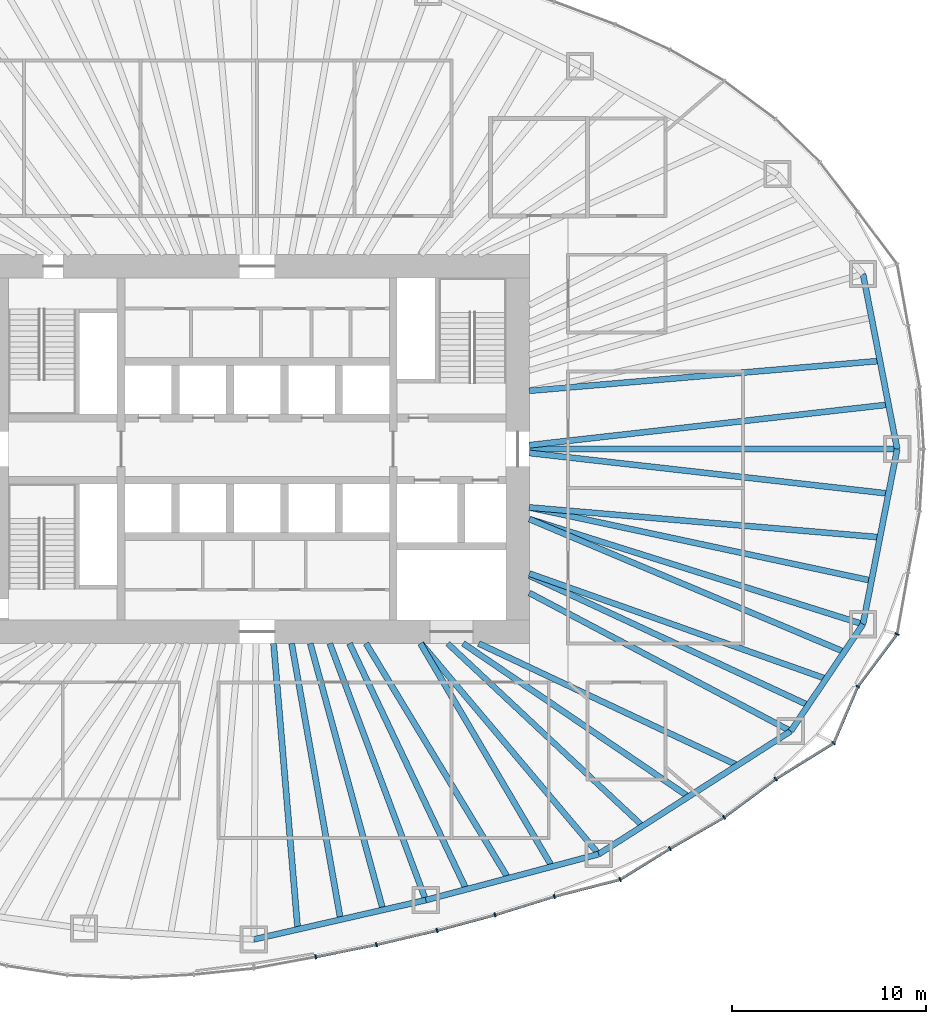
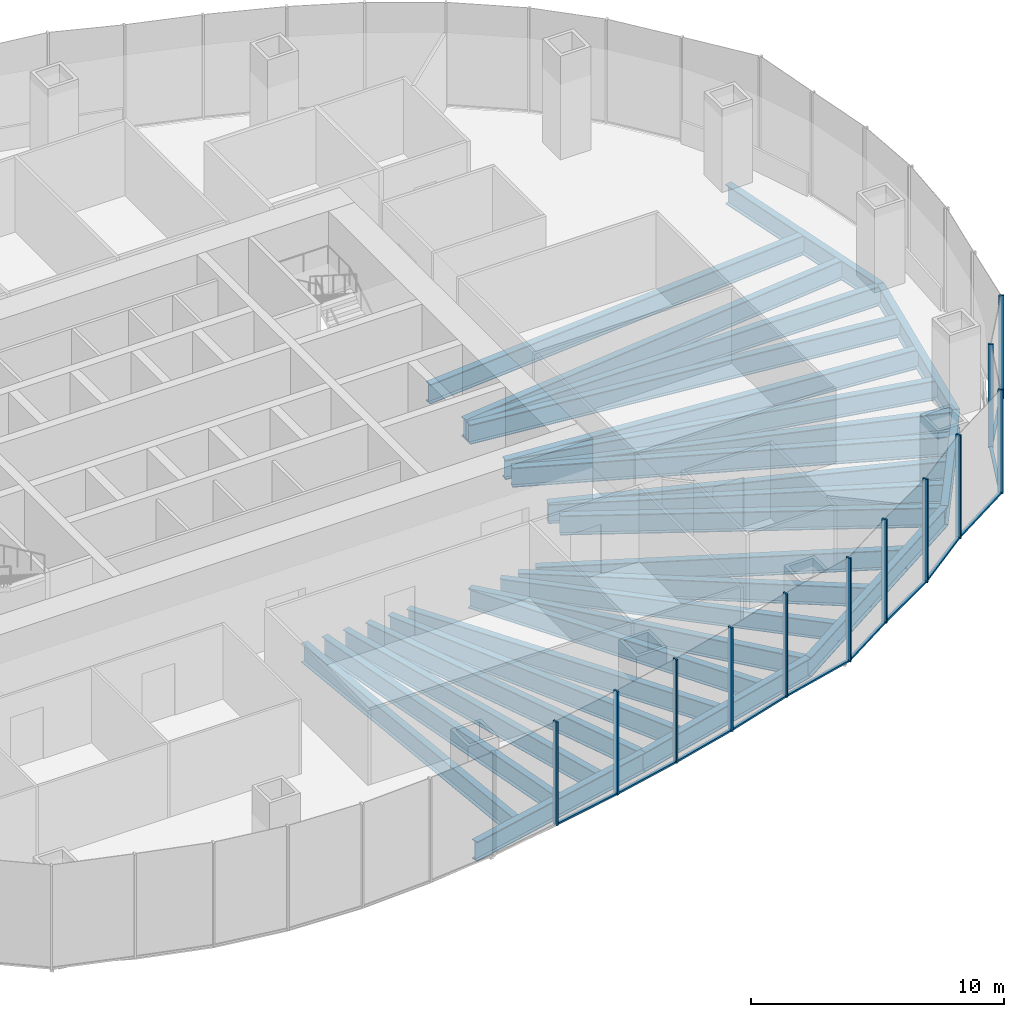
# One storey, part 4 of 18: 28 beams, 23 members, 5 elements without a shape of their own.
"""IFC4 building model written with IfcOpenShell, lengths in metres."""

from ifc_helpers import new_model, si_unit, direction, frame, origin, origin_2d, place, context, subcontext, project, spatial, rectangle, i_section, extrude, material, material_profile, profile_set, type_object, element, aggregate, save


model = new_model("IFC4")

# Units and contexts
model_context = context("Model", 3, precision=1e-05, world=origin(), true_north=direction((0.0, 1.0)))
body_context = subcontext(model_context, "Body", "Model", "MODEL_VIEW")
ifc_project = project(units=[si_unit("LENGTHUNIT", "METRE"), si_unit("AREAUNIT", "SQUARE_METRE"), si_unit("VOLUMEUNIT", "CUBIC_METRE"), si_unit("PLANEANGLEUNIT", "RADIAN"), si_unit("MASSUNIT", "GRAM", prefix="KILO")], contexts=[model_context])

# Site, building, storey
site_placement = place(None, origin())
site = spatial("IfcSite", under=ifc_project, at=site_placement, CompositionType="ELEMENT")
building_placement = place(site_placement, origin())
building = spatial("IfcBuilding", under=site, at=building_placement, Name="Ghaith Harvest Tower", CompositionType="ELEMENT")
storey_placement = place(building_placement, frame((0.0, 0.0, 95.0)))
storey = spatial("IfcBuildingStorey", under=building, at=storey_placement, Name="L19", CompositionType="ELEMENT", Elevation=95.0)

# Curtain wall, members
ifc_material_1 = material(Name="Black anodised aluminium and fritted glass", Category="aluminium")
curtain_wall_type = type_object("IfcCurtainWallType", Name="CW-F CURTAIN WALL", PredefinedType="NOTDEFINED", material=ifc_material_1)
curtain_wall_1_placement = place(storey_placement, origin())
curtain_wall_1 = element("IfcCurtainWall", 1, at=curtain_wall_1_placement, inside=storey, type_object=curtain_wall_type, Name="Curtain wall CW-F bay 16 L19", PredefinedType="NOTDEFINED")
ifc_material_2 = material(Name="Aluminium, black anodised", Category="aluminium")
ifc_material_profile_1 = material_profile(ifc_material_2, rectangle(XDim=0.080078125, YDim=0.219970703125, at=origin_2d()), Name="CW-F MULLION 80x220")
ifc_profile_set_1 = profile_set([ifc_material_profile_1], Name="Aluminium, black anodised")
member_type_1 = type_object("IfcMemberType", Name="CW-F MULLION 80x220", PredefinedType="MULLION", material=ifc_profile_set_1)
member_1_placement = place(storey_placement, frame((3.00927734375, -26.123291015625, 0.0), z_axis=(0.0, 0.0, 1.0), x_axis=(0.981818445714, 0.189822389762, 0.0)))
member_1 = element("IfcMember", 2, at=member_1_placement, type_object=member_type_1, Name="CW-F mullion 2 bay 16 L19", PredefinedType="MULLION", context=body_context, shape_type="SweptSolid", body=[
    extrude(rectangle(XDim=0.080078125, YDim=0.219970703125, at=origin_2d()), origin(), (0.0, 0.0, 1.0), 5.0),
])
member_2_placement = place(storey_placement, frame((6.136962890625, -25.495361328125, 0.0), z_axis=(0.0, 0.0, 1.0), x_axis=(0.977117973572, 0.212698062336, 0.0)))
member_2 = element("IfcMember", 3, at=member_2_placement, type_object=member_type_1, Name="CW-F mullion 3 bay 16 L19", PredefinedType="MULLION", context=body_context, shape_type="SweptSolid", body=[
    extrude(rectangle(XDim=0.080078125, YDim=0.219970703125, at=origin_2d()), origin(), (0.0, 0.0, 1.0), 5.0),
])

curtain_wall_2_placement = place(storey_placement, origin())
curtain_wall_2 = element("IfcCurtainWall", 4, at=curtain_wall_2_placement, inside=storey, type_object=curtain_wall_type, Name="Curtain wall CW-F bay 17 L19", PredefinedType="NOTDEFINED")
member_3_placement = place(storey_placement, frame((9.25732421875, -24.76318359375, 0.0), z_axis=(0.0, 0.0, 1.0), x_axis=(0.969903429248, 0.24348991341, 0.0)))
member_3 = element("IfcMember", 5, at=member_3_placement, type_object=member_type_1, Name="CW-F mullion 1 bay 17 L19", PredefinedType="MULLION", context=body_context, shape_type="SweptSolid", body=[
    extrude(rectangle(XDim=0.080078125, YDim=0.219970703125, at=origin_2d()), origin(), (0.0, 0.0, 1.0), 5.0),
])
member_4_placement = place(storey_placement, frame((12.234375, -23.964599609375, 0.0), z_axis=(0.0, 0.0, 1.0), x_axis=(0.960502189734, 0.278272426799, 0.0)))
member_4 = element("IfcMember", 6, at=member_4_placement, type_object=member_type_1, Name="CW-F mullion 2 bay 17 L19", PredefinedType="MULLION", context=body_context, shape_type="SweptSolid", body=[
    extrude(rectangle(XDim=0.080078125, YDim=0.219970703125, at=origin_2d()), origin(), (0.0, 0.0, 1.0), 5.0),
])
member_5_placement = place(storey_placement, frame((15.28759765625, -23.01611328125, 0.0), z_axis=(0.0, 0.0, 1.0), x_axis=(0.962313144018, 0.27194376781, 0.0)))
member_5 = element("IfcMember", 7, at=member_5_placement, type_object=member_type_1, Name="CW-F mullion 3 bay 17 L19", PredefinedType="MULLION", context=body_context, shape_type="SweptSolid", body=[
    extrude(rectangle(XDim=0.080078125, YDim=0.219970703125, at=origin_2d()), origin(), (0.0, 0.0, 1.0), 5.0),
])

curtain_wall_3_placement = place(storey_placement, origin())
curtain_wall_3 = element("IfcCurtainWall", 8, at=curtain_wall_3_placement, inside=storey, type_object=curtain_wall_type, Name="Curtain wall CW-F bay 18 L19", PredefinedType="NOTDEFINED")
member_6_placement = place(storey_placement, frame((18.674072265625, -22.144775390625, 0.0), z_axis=(0.0, 0.0, 1.0), x_axis=(0.923910199299, 0.382609387799, 0.0)))
member_6 = element("IfcMember", 9, at=member_6_placement, type_object=member_type_1, Name="CW-F mullion 1 bay 18 L19", PredefinedType="MULLION", context=body_context, shape_type="SweptSolid", body=[
    extrude(rectangle(XDim=0.080078125, YDim=0.219970703125, at=origin_2d()), origin(), (0.0, 0.0, 1.0), 5.0),
])
member_7_placement = place(storey_placement, frame((21.2353515625, -20.552978515625, 0.0), z_axis=(0.0, 0.0, 1.0), x_axis=(0.858140414942, 0.513415064293, 0.0)))
member_7 = element("IfcMember", 10, at=member_7_placement, type_object=member_type_1, Name="CW-F mullion 2 bay 18 L19", PredefinedType="MULLION", context=body_context, shape_type="SweptSolid", body=[
    extrude(rectangle(XDim=0.080078125, YDim=0.219970703125, at=origin_2d()), origin(), (0.0, 0.0, 1.0), 5.0),
])
member_8_placement = place(storey_placement, frame((24.018310546875, -18.947265625, 0.0), z_axis=(0.0, 0.0, 1.0), x_axis=(0.835443516838, 0.549576318788, 0.0)))
member_8 = element("IfcMember", 11, at=member_8_placement, type_object=member_type_1, Name="CW-F mullion 3 bay 18 L19", PredefinedType="MULLION", context=body_context, shape_type="SweptSolid", body=[
    extrude(rectangle(XDim=0.080078125, YDim=0.219970703125, at=origin_2d()), origin(), (0.0, 0.0, 1.0), 5.0),
])

curtain_wall_4_placement = place(storey_placement, origin())
curtain_wall_4 = element("IfcCurtainWall", 12, at=curtain_wall_4_placement, inside=storey, type_object=curtain_wall_type, Name="Curtain wall CW-F bay 19 L19", PredefinedType="NOTDEFINED")
member_9_placement = place(storey_placement, frame((26.673828125, -16.9755859375, 0.0), z_axis=(0.0, 0.0, 1.0), x_axis=(0.828002038115, 0.560725088504, 0.0)))
member_9 = element("IfcMember", 13, at=member_9_placement, type_object=member_type_1, Name="CW-F mullion 1 bay 19 L19", PredefinedType="MULLION", context=body_context, shape_type="SweptSolid", body=[
    extrude(rectangle(XDim=0.080078125, YDim=0.219970703125, at=origin_2d()), origin(), (0.0, 0.0, 1.0), 5.0),
])
member_10_placement = place(storey_placement, frame((29.659912109375, -15.126953125, 0.0), z_axis=(0.0, 0.0, 1.0), x_axis=(0.663604797505, 0.748083332743, 0.0)))
member_10 = element("IfcMember", 14, at=member_10_placement, type_object=member_type_1, Name="CW-F mullion 2 bay 19 L19", PredefinedType="MULLION", context=body_context, shape_type="SweptSolid", body=[
    extrude(rectangle(XDim=0.080078125, YDim=0.219970703125, at=origin_2d()), origin(), (0.0, 0.0, 1.0), 5.0),
])
member_11_placement = place(storey_placement, frame((30.896728515625, -12.215087890625, 0.0), z_axis=(0.0, 0.0, 1.0), x_axis=(0.5027946428, 0.864405892606, 0.0)))
member_11 = element("IfcMember", 15, at=member_11_placement, type_object=member_type_1, Name="CW-F mullion 3 bay 19 L19", PredefinedType="MULLION", context=body_context, shape_type="SweptSolid", body=[
    extrude(rectangle(XDim=0.080078125, YDim=0.219970703125, at=origin_2d()), origin(), (0.0, 0.0, 1.0), 5.0),
])

# Curtain wall, member
curtain_wall_5_placement = place(storey_placement, origin())
curtain_wall_5 = element("IfcCurtainWall", 16, at=curtain_wall_5_placement, inside=storey, type_object=curtain_wall_type, Name="Curtain wall CW-F bay 20 L19", PredefinedType="NOTDEFINED")
member_12_placement = place(storey_placement, frame((32.923583984375, -9.515625, 0.0), z_axis=(0.0, 0.0, 1.0), x_axis=(0.404701694001, 0.914448762301, 0.0)))
member_12 = element("IfcMember", 17, at=member_12_placement, type_object=member_type_1, Name="CW-F mullion 1 bay 20 L19", PredefinedType="MULLION", context=body_context, shape_type="SweptSolid", body=[
    extrude(rectangle(XDim=0.080078125, YDim=0.219970703125, at=origin_2d()), origin(), (0.0, 0.0, 1.0), 5.0),
])
aggregate(curtain_wall_5, [member_12])

# Member
ifc_material_3 = material(Name="Aluminium, black anodised", Category="aluminium")
ifc_material_profile_2 = material_profile(ifc_material_3, rectangle(XDim=0.139892578125, YDim=0.080078125, at=origin_2d()), Name="CW-F TRANSOM 140x80")
ifc_profile_set_2 = profile_set([ifc_material_profile_2], Name="Aluminium, black anodised")
member_type_2 = type_object("IfcMemberType", Name="CW-F TRANSOM 140x80", PredefinedType="USERDEFINED", material=ifc_profile_set_2)
member_13_placement = place(storey_placement, frame((3.04833984375, -26.115478515625, 0.0400390625), z_axis=(0.980432471193, 0.196855707129, 0.0), x_axis=(-0.196855707129, 0.980432471193, 0.0)))
member_13 = element("IfcMember", 18, at=member_13_placement, type_object=member_type_2, Name="CW-F transom 2 bay 16 L19", ObjectType="TRANSOM", PredefinedType="USERDEFINED", context=body_context, shape_type="SweptSolid", body=[
    extrude(rectangle(XDim=0.139892578125, YDim=0.080078125, at=origin_2d()), origin(), (0.0, 0.0, 1.0), 3.1103515625),
])

member_14_placement = place(storey_placement, frame((6.176025390625, -25.486083984375, 0.0400390625), z_axis=(0.973560415159, 0.228429678537, 0.0), x_axis=(-0.228429678537, 0.973560415159, 0.0)))
member_14 = element("IfcMember", 19, at=member_14_placement, type_object=member_type_2, Name="CW-F transom 3 bay 16 L19", ObjectType="TRANSOM", PredefinedType="USERDEFINED", context=body_context, shape_type="SweptSolid", body=[
    extrude(rectangle(XDim=0.139892578125, YDim=0.080078125, at=origin_2d()), origin(), (0.0, 0.0, 1.0), 3.125),
])

aggregate(curtain_wall_1, [member_1, member_13, member_2, member_14])

member_15_placement = place(storey_placement, frame((9.2958984375, -24.7529296875, 0.0400390625), z_axis=(0.965832908495, 0.259165570377, 0.0), x_axis=(-0.259165570377, 0.965832908495, 0.0)))
member_15 = element("IfcMember", 20, at=member_15_placement, type_object=member_type_2, Name="CW-F transom 1 bay 17 L19", ObjectType="TRANSOM", PredefinedType="USERDEFINED", context=body_context, shape_type="SweptSolid", body=[
    extrude(rectangle(XDim=0.139892578125, YDim=0.080078125, at=origin_2d()), origin(), (0.0, 0.0, 1.0), 3.002197265625),
])

member_16_placement = place(storey_placement, frame((12.2724609375, -23.95263671875, 0.0400390625), z_axis=(0.954998362353, 0.296611071781, 0.0), x_axis=(-0.296611071781, 0.954998362353, 0.0)))
member_16 = element("IfcMember", 21, at=member_16_placement, type_object=member_type_2, Name="CW-F transom 2 bay 17 L19", ObjectType="TRANSOM", PredefinedType="USERDEFINED", context=body_context, shape_type="SweptSolid", body=[
    extrude(rectangle(XDim=0.139892578125, YDim=0.080078125, at=origin_2d()), origin(), (0.0, 0.0, 1.0), 3.1171875),
])

member_17_placement = place(storey_placement, frame((15.326171875, -23.006103515625, 0.0400390625), z_axis=(0.968463874592, 0.249154015841, 0.0), x_axis=(-0.249154015841, 0.968463874592, 0.0)))
member_17 = element("IfcMember", 22, at=member_17_placement, type_object=member_type_2, Name="CW-F transom 3 bay 17 L19", ObjectType="TRANSOM", PredefinedType="USERDEFINED", context=body_context, shape_type="SweptSolid", body=[
    extrude(rectangle(XDim=0.139892578125, YDim=0.080078125, at=origin_2d()), origin(), (0.0, 0.0, 1.0), 3.416748046875),
])

aggregate(curtain_wall_2, [member_3, member_15, member_4, member_16, member_5, member_17])

member_18_placement = place(storey_placement, frame((18.7080078125, -22.12353515625, 0.0400390625), z_axis=(0.849383069026, 0.527776848726, 0.0), x_axis=(-0.527776848726, 0.849383069026, 0.0)))
member_18 = element("IfcMember", 23, at=member_18_placement, type_object=member_type_2, Name="CW-F transom 1 bay 18 L19", ObjectType="TRANSOM", PredefinedType="USERDEFINED", context=body_context, shape_type="SweptSolid", body=[
    extrude(rectangle(XDim=0.139892578125, YDim=0.080078125, at=origin_2d()), origin(), (0.0, 0.0, 1.0), 2.935546875),
])

member_19_placement = place(storey_placement, frame((21.27001953125, -20.532958984375, 0.0400390625), z_axis=(0.866168719914, 0.499751686983, 0.0), x_axis=(-0.499751686983, 0.866168719914, 0.0)))
member_19 = element("IfcMember", 24, at=member_19_placement, type_object=member_type_2, Name="CW-F transom 2 bay 18 L19", ObjectType="TRANSOM", PredefinedType="USERDEFINED", context=body_context, shape_type="SweptSolid", body=[
    extrude(rectangle(XDim=0.139892578125, YDim=0.080078125, at=origin_2d()), origin(), (0.0, 0.0, 1.0), 3.1328125),
])

member_20_placement = place(storey_placement, frame((24.050537109375, -18.92333984375, 0.0400390625), z_axis=(0.802877287823, 0.596144328748, 0.0), x_axis=(-0.596144328748, 0.802877287823, 0.0)))
member_20 = element("IfcMember", 25, at=member_20_placement, type_object=member_type_2, Name="CW-F transom 3 bay 18 L19", ObjectType="TRANSOM", PredefinedType="USERDEFINED", context=body_context, shape_type="SweptSolid", body=[
    extrude(rectangle(XDim=0.139892578125, YDim=0.080078125, at=origin_2d()), origin(), (0.0, 0.0, 1.0), 3.2275390625),
])

aggregate(curtain_wall_3, [member_6, member_18, member_7, member_19, member_8, member_20])

member_21_placement = place(storey_placement, frame((26.707763671875, -16.954345703125, 0.0400390625), z_axis=(0.850260598386, 0.526361961802, 0.0), x_axis=(-0.526361961802, 0.850260598386, 0.0)))
member_21 = element("IfcMember", 26, at=member_21_placement, type_object=member_type_2, Name="CW-F transom 1 bay 19 L19", ObjectType="TRANSOM", PredefinedType="USERDEFINED", context=body_context, shape_type="SweptSolid", body=[
    extrude(rectangle(XDim=0.139892578125, YDim=0.080078125, at=origin_2d()), origin(), (0.0, 0.0, 1.0), 3.431884765625),
])

member_22_placement = place(storey_placement, frame((29.675537109375, -15.090087890625, 0.0400390625), z_axis=(0.390936107494, 0.92041781809, 0.0), x_axis=(-0.92041781809, 0.390936107494, 0.0)))
member_22 = element("IfcMember", 27, at=member_22_placement, type_object=member_type_2, Name="CW-F transom 2 bay 19 L19", ObjectType="TRANSOM", PredefinedType="USERDEFINED", context=body_context, shape_type="SweptSolid", body=[
    extrude(rectangle(XDim=0.139892578125, YDim=0.080078125, at=origin_2d()), origin(), (0.0, 0.0, 1.0), 3.083740234375),
])

member_23_placement = place(storey_placement, frame((30.920654296875, -12.18310546875, 0.0400390625), z_axis=(0.600462135687, 0.799653189581, 0.0), x_axis=(-0.799653189581, 0.600462135687, 0.0)))
member_23 = element("IfcMember", 28, at=member_23_placement, type_object=member_type_2, Name="CW-F transom 3 bay 19 L19", ObjectType="TRANSOM", PredefinedType="USERDEFINED", context=body_context, shape_type="SweptSolid", body=[
    extrude(rectangle(XDim=0.139892578125, YDim=0.080078125, at=origin_2d()), origin(), (0.0, 0.0, 1.0), 3.2958984375),
])

aggregate(curtain_wall_4, [member_9, member_21, member_10, member_22, member_11, member_23])

# Beams
ifc_material_4 = material(Name="Steel ASTM A992 Grade 50", Category="steel")
ifc_material_profile_3 = material_profile(ifc_material_4, i_section(OverallWidth=0.306884765625, OverallDepth=0.94189453125, WebThickness=0.022216796875, FlangeThickness=0.039794921875, at=origin_2d()), Name="W920X345")
ifc_profile_set_3 = profile_set([ifc_material_profile_3], Name="Steel ASTM A992 Grade 50")
beam_type_1 = type_object("IfcBeamType", Name="E920-345 W920X345", PredefinedType="SPANDREL", material=ifc_profile_set_3)
beam_1_placement = place(storey_placement, frame((32.925048828125, 0.0, -0.6708984375), z_axis=(-0.191653479461, 0.981462655332, 0.0), x_axis=(-0.981462655332, -0.191653479461, 0.0)))
element("IfcBeam", 29, at=beam_1_placement, inside=storey, type_object=beam_type_1, Name="Edge beam E01 L19", PredefinedType="SPANDREL", context=body_context, shape_type="SweptSolid", body=[
    extrude(i_section(OverallWidth=0.306884765625, OverallDepth=0.94189453125, WebThickness=0.022216796875, FlangeThickness=0.039794921875, at=origin_2d()), origin(), (0.0, 0.0, 1.0), 9.17822265625),
])
beam_2_placement = place(storey_placement, frame((-0.173095703125, -25.22412109375, -0.6708984375), z_axis=(0.974881709383, 0.22272326486, 0.0), x_axis=(-0.22272326486, 0.974881709383, 0.0)))
element("IfcBeam", 30, at=beam_2_placement, inside=storey, type_object=beam_type_1, Name="Edge beam E16 L19", PredefinedType="SPANDREL", context=body_context, shape_type="SweptSolid", body=[
    extrude(i_section(OverallWidth=0.306884765625, OverallDepth=0.94189453125, WebThickness=0.022216796875, FlangeThickness=0.039794921875, at=origin_2d()), origin(), (0.0, 0.0, 1.0), 9.0751953125),
])
beam_3_placement = place(storey_placement, frame((8.674072265625, -23.202880859375, -0.6708984375), z_axis=(0.966419097109, 0.256971065963, 0.0), x_axis=(-0.256971065963, 0.966419097109, 0.0)))
element("IfcBeam", 31, at=beam_3_placement, inside=storey, type_object=beam_type_1, Name="Edge beam E17 L19", PredefinedType="SPANDREL", context=body_context, shape_type="SweptSolid", body=[
    extrude(i_section(OverallWidth=0.306884765625, OverallDepth=0.94189453125, WebThickness=0.022216796875, FlangeThickness=0.039794921875, at=origin_2d()), origin(), (0.0, 0.0, 1.0), 9.20703125),
])
beam_4_placement = place(storey_placement, frame((17.572021484375, -20.8369140625, -0.6708984375), z_axis=(0.842014649705, 0.539454659524, 0.0), x_axis=(-0.539454659524, 0.842014649705, 0.0)))
element("IfcBeam", 32, at=beam_4_placement, inside=storey, type_object=beam_type_1, Name="Edge beam E18 L19", PredefinedType="SPANDREL", context=body_context, shape_type="SweptSolid", body=[
    extrude(i_section(OverallWidth=0.306884765625, OverallDepth=0.94189453125, WebThickness=0.022216796875, FlangeThickness=0.039794921875, at=origin_2d()), origin(), (0.0, 0.0, 1.0), 11.730224609375),
])
beam_5_placement = place(storey_placement, frame((27.448974609375, -14.509033203125, -0.6708984375), z_axis=(0.559874470017, 0.828577442261, 0.0), x_axis=(-0.828577442261, 0.559874470017, 0.0)))
element("IfcBeam", 33, at=beam_5_placement, inside=storey, type_object=beam_type_1, Name="Edge beam E19 L19", PredefinedType="SPANDREL", context=body_context, shape_type="SweptSolid", body=[
    extrude(i_section(OverallWidth=0.306884765625, OverallDepth=0.94189453125, WebThickness=0.022216796875, FlangeThickness=0.039794921875, at=origin_2d()), origin(), (0.0, 0.0, 1.0), 6.63916015625),
])
beam_6_placement = place(storey_placement, frame((31.166015625, -9.008056640625, -0.6708984375), z_axis=(0.191653479461, 0.981462655332, 0.0), x_axis=(-0.981462655332, 0.191653479461, 0.0)))
element("IfcBeam", 34, at=beam_6_placement, inside=storey, type_object=beam_type_1, Name="Edge beam E20 L19", PredefinedType="SPANDREL", context=body_context, shape_type="SweptSolid", body=[
    extrude(i_section(OverallWidth=0.306884765625, OverallDepth=0.94189453125, WebThickness=0.022216796875, FlangeThickness=0.039794921875, at=origin_2d()), origin(), (0.0, 0.0, 1.0), 9.17822265625),
])
ifc_material_5 = material(Name="Steel ASTM A992 Grade 50", Category="steel")
ifc_material_profile_4 = material_profile(ifc_material_5, i_section(OverallWidth=0.306884765625, OverallDepth=0.94189453125, WebThickness=0.022216796875, FlangeThickness=0.039794921875, at=origin_2d()), Name="W920X345")
ifc_profile_set_4 = profile_set([ifc_material_profile_4], Name="Steel ASTM A992 Grade 50")
beam_type_2 = type_object("IfcBeamType", Name="G920-345 W920X345", PredefinedType="BEAM", material=ifc_profile_set_4)
beam_7_placement = place(storey_placement, frame((14.0, 0.0, -0.6708984375), z_axis=(1.0, 0.0, 0.0), x_axis=(0.0, 1.0, 0.0)))
element("IfcBeam", 35, at=beam_7_placement, inside=storey, type_object=beam_type_2, Name="Radial girder G01 L19", PredefinedType="BEAM", context=body_context, shape_type="SweptSolid", body=[
    extrude(i_section(OverallWidth=0.306884765625, OverallDepth=0.94189453125, WebThickness=0.022216796875, FlangeThickness=0.039794921875, at=origin_2d()), origin(), (0.0, 0.0, 1.0), 18.925048828125),
])
beam_8_placement = place(storey_placement, frame((3.73828125, -10.0, -0.6708984375), z_axis=(0.350172283717, -0.936685310932, 0.0), x_axis=(0.936685310932, 0.350172283717, 0.0)))
element("IfcBeam", 36, at=beam_8_placement, inside=storey, type_object=beam_type_2, Name="Radial girder G17 L19", PredefinedType="BEAM", context=body_context, shape_type="SweptSolid", body=[
    extrude(i_section(OverallWidth=0.306884765625, OverallDepth=0.94189453125, WebThickness=0.022216796875, FlangeThickness=0.039794921875, at=origin_2d()), origin(), (0.0, 0.0, 1.0), 14.09521484375),
])
beam_9_placement = place(storey_placement, frame((8.4326171875, -10.0, -0.6708984375), z_axis=(0.644696130938, -0.764438943771, 0.0), x_axis=(0.764438943771, 0.644696130938, 0.0)))
element("IfcBeam", 37, at=beam_9_placement, inside=storey, type_object=beam_type_2, Name="Radial girder G18 L19", PredefinedType="BEAM", context=body_context, shape_type="SweptSolid", body=[
    extrude(i_section(OverallWidth=0.306884765625, OverallDepth=0.94189453125, WebThickness=0.022216796875, FlangeThickness=0.039794921875, at=origin_2d()), origin(), (0.0, 0.0, 1.0), 14.17626953125),
])
beam_10_placement = place(storey_placement, frame((14.0, -7.39990234375, -0.6708984375), z_axis=(0.884084425997, -0.467327216959, 0.0), x_axis=(0.467327216959, 0.884084425997, 0.0)))
element("IfcBeam", 38, at=beam_10_placement, inside=storey, type_object=beam_type_2, Name="Radial girder G19 L19", PredefinedType="BEAM", context=body_context, shape_type="SweptSolid", body=[
    extrude(i_section(OverallWidth=0.306884765625, OverallDepth=0.94189453125, WebThickness=0.022216796875, FlangeThickness=0.039794921875, at=origin_2d()), origin(), (0.0, 0.0, 1.0), 15.21240234375),
])
beam_11_placement = place(storey_placement, frame((14.0, -3.60009765625, -0.6708984375), z_axis=(0.953788071692, -0.300480139607, 0.0), x_axis=(0.300480139607, 0.953788071692, 0.0)))
element("IfcBeam", 39, at=beam_11_placement, inside=storey, type_object=beam_type_2, Name="Radial girder G20 L19", PredefinedType="BEAM", context=body_context, shape_type="SweptSolid", body=[
    extrude(i_section(OverallWidth=0.306884765625, OverallDepth=0.94189453125, WebThickness=0.022216796875, FlangeThickness=0.039794921875, at=origin_2d()), origin(), (0.0, 0.0, 1.0), 17.997802734375),
])
ifc_material_6 = material(Name="Steel ASTM A992 Grade 50", Category="steel")
ifc_material_profile_5 = material_profile(ifc_material_6, i_section(OverallWidth=0.2939453125, OverallDepth=0.85107421875, WebThickness=0.01611328125, FlangeThickness=0.02685546875, at=origin_2d()), Name="W840X226")
ifc_profile_set_5 = profile_set([ifc_material_profile_5], Name="Steel ASTM A992 Grade 50")
beam_type_3 = type_object("IfcBeamType", Name="J840-226 W840X226", PredefinedType="JOIST", material=ifc_profile_set_5)
beam_12_placement = place(storey_placement, frame((9.800048828125, -10.0, -0.62548828125), z_axis=(0.72994990542, -0.683500647825, 0.0), x_axis=(0.683500647825, 0.72994990542, 0.0)))
element("IfcBeam", 40, at=beam_12_placement, inside=storey, type_object=beam_type_3, Name="Joist J18.1 L19", PredefinedType="JOIST", context=body_context, shape_type="SweptSolid", body=[
    extrude(i_section(OverallWidth=0.2939453125, OverallDepth=0.85107421875, WebThickness=0.01611328125, FlangeThickness=0.02685546875, at=origin_2d()), origin(), (0.0, 0.0, 1.0), 13.7392578125),
])
ifc_material_7 = material(Name="Steel ASTM A992 Grade 50", Category="steel")
ifc_material_profile_6 = material_profile(ifc_material_7, i_section(OverallWidth=0.31005859375, OverallDepth=0.927001953125, WebThickness=0.019287109375, FlangeThickness=0.031982421875, at=origin_2d()), Name="W920X289")
ifc_profile_set_6 = profile_set([ifc_material_profile_6], Name="Steel ASTM A992 Grade 50")
beam_type_4 = type_object("IfcBeamType", Name="J920-289 W920X289", PredefinedType="JOIST", material=ifc_profile_set_6)
beam_13_placement = place(storey_placement, frame((0.844970703125, -10.0, -0.66357421875), z_axis=(0.084208979751, -0.996448115924, 0.0), x_axis=(0.996448115924, 0.084208979751, 0.0)))
element("IfcBeam", 41, at=beam_13_placement, inside=storey, type_object=beam_type_4, Name="Joist J16.1 L19", PredefinedType="JOIST", context=body_context, shape_type="SweptSolid", body=[
    extrude(i_section(OverallWidth=0.31005859375, OverallDepth=0.927001953125, WebThickness=0.019287109375, FlangeThickness=0.031982421875, at=origin_2d()), origin(), (0.0, 0.0, 1.0), 14.760009765625),
])
beam_14_placement = place(storey_placement, frame((1.772705078125, -10.0, -0.66357421875), z_axis=(0.174552818486, -0.98464781194, 0.0), x_axis=(0.98464781194, 0.174552818486, 0.0)))
element("IfcBeam", 42, at=beam_14_placement, inside=storey, type_object=beam_type_4, Name="Joist J16.2 L19", PredefinedType="JOIST", context=body_context, shape_type="SweptSolid", body=[
    extrude(i_section(OverallWidth=0.31005859375, OverallDepth=0.927001953125, WebThickness=0.019287109375, FlangeThickness=0.031982421875, at=origin_2d()), origin(), (0.0, 0.0, 1.0), 14.42578125),
])
beam_15_placement = place(storey_placement, frame((2.73095703125, -10.0, -0.66357421875), z_axis=(0.263463446032, -0.964669379946, 0.0), x_axis=(0.964669379946, 0.263463446032, 0.0)))
element("IfcBeam", 43, at=beam_15_placement, inside=storey, type_object=beam_type_4, Name="Joist J16.3 L19", PredefinedType="JOIST", context=body_context, shape_type="SweptSolid", body=[
    extrude(i_section(OverallWidth=0.31005859375, OverallDepth=0.927001953125, WebThickness=0.019287109375, FlangeThickness=0.031982421875, at=origin_2d()), origin(), (0.0, 0.0, 1.0), 14.20751953125),
])
beam_16_placement = place(storey_placement, frame((4.75, -10.0, -0.66357421875), z_axis=(0.429067127754, -0.903272605519, 0.0), x_axis=(0.903272605519, 0.429067127754, 0.0)))
element("IfcBeam", 44, at=beam_16_placement, inside=storey, type_object=beam_type_4, Name="Joist J17.1 L19", PredefinedType="JOIST", context=body_context, shape_type="SweptSolid", body=[
    extrude(i_section(OverallWidth=0.31005859375, OverallDepth=0.927001953125, WebThickness=0.019287109375, FlangeThickness=0.031982421875, at=origin_2d()), origin(), (0.0, 0.0, 1.0), 14.003173828125),
])
beam_17_placement = place(storey_placement, frame((5.60009765625, -10.0, -0.66357421875), z_axis=(0.517828660199, -0.855484353262, 0.0), x_axis=(0.855484353262, 0.517828660199, 0.0)))
element("IfcBeam", 45, at=beam_17_placement, inside=storey, type_object=beam_type_4, Name="Joist J17.2 L19", PredefinedType="JOIST", context=body_context, shape_type="SweptSolid", body=[
    extrude(i_section(OverallWidth=0.31005859375, OverallDepth=0.927001953125, WebThickness=0.019287109375, FlangeThickness=0.031982421875, at=origin_2d()), origin(), (0.0, 0.0, 1.0), 14.11669921875),
])
beam_18_placement = place(storey_placement, frame((8.39990234375, -10.0, -0.66357421875), z_axis=(0.507894375661, -0.861419353841, 0.0), x_axis=(0.861419353841, 0.507894375661, 0.0)))
element("IfcBeam", 46, at=beam_18_placement, inside=storey, type_object=beam_type_4, Name="Joist J17.3 L19", PredefinedType="JOIST", context=body_context, shape_type="SweptSolid", body=[
    extrude(i_section(OverallWidth=0.31005859375, OverallDepth=0.927001953125, WebThickness=0.019287109375, FlangeThickness=0.031982421875, at=origin_2d()), origin(), (0.0, 0.0, 1.0), 13.32275390625),
])
beam_19_placement = place(storey_placement, frame((10.60009765625, -10.0, -0.66357421875), z_axis=(0.826982555637, -0.562227580853, 0.0), x_axis=(0.562227580853, 0.826982555637, 0.0)))
element("IfcBeam", 47, at=beam_19_placement, inside=storey, type_object=beam_type_4, Name="Joist J18.2 L19", PredefinedType="JOIST", context=body_context, shape_type="SweptSolid", body=[
    extrude(i_section(OverallWidth=0.31005859375, OverallDepth=0.927001953125, WebThickness=0.019287109375, FlangeThickness=0.031982421875, at=origin_2d()), origin(), (0.0, 0.0, 1.0), 14.013671875),
])
beam_20_placement = place(storey_placement, frame((11.39990234375, -10.0, -0.66357421875), z_axis=(0.904709580205, -0.426028843489, 0.0), x_axis=(0.426028843489, 0.904709580205, 0.0)))
element("IfcBeam", 48, at=beam_20_placement, inside=storey, type_object=beam_type_4, Name="Joist J18.3 L19", PredefinedType="JOIST", context=body_context, shape_type="SweptSolid", body=[
    extrude(i_section(OverallWidth=0.31005859375, OverallDepth=0.927001953125, WebThickness=0.019287109375, FlangeThickness=0.031982421875, at=origin_2d()), origin(), (0.0, 0.0, 1.0), 14.708251953125),
])
beam_21_placement = place(storey_placement, frame((14.0, -6.506103515625, -0.66357421875), z_axis=(0.906865804441, -0.421419521067, 0.0), x_axis=(0.421419521067, 0.906865804441, 0.0)))
element("IfcBeam", 49, at=beam_21_placement, inside=storey, type_object=beam_type_4, Name="Joist J19.1 L19", PredefinedType="JOIST", context=body_context, shape_type="SweptSolid", body=[
    extrude(i_section(OverallWidth=0.31005859375, OverallDepth=0.927001953125, WebThickness=0.019287109375, FlangeThickness=0.031982421875, at=origin_2d()), origin(), (0.0, 0.0, 1.0), 15.824462890625),
])
ifc_material_8 = material(Name="Steel ASTM A992 Grade 50", Category="steel")
ifc_material_profile_7 = material_profile(ifc_material_8, i_section(OverallWidth=0.306884765625, OverallDepth=0.94189453125, WebThickness=0.022216796875, FlangeThickness=0.039794921875, at=origin_2d()), Name="W920X345")
ifc_profile_set_7 = profile_set([ifc_material_profile_7], Name="Steel ASTM A992 Grade 50")
beam_type_5 = type_object("IfcBeamType", Name="J920-345 W920X345", PredefinedType="JOIST", material=ifc_profile_set_7)
beam_22_placement = place(storey_placement, frame((14.0, 0.199951171875, -0.6708984375), z_axis=(0.993675458798, 0.112290171352, 0.0), x_axis=(-0.112290171352, 0.993675458798, 0.0)))
element("IfcBeam", 50, at=beam_22_placement, inside=storey, type_object=beam_type_5, Name="Joist J01.1 L19", PredefinedType="JOIST", context=body_context, shape_type="SweptSolid", body=[
    extrude(i_section(OverallWidth=0.306884765625, OverallDepth=0.94189453125, WebThickness=0.022216796875, FlangeThickness=0.039794921875, at=origin_2d()), origin(), (0.0, 0.0, 1.0), 18.595947265625),
])
beam_23_placement = place(storey_placement, frame((14.0, 3.0, -0.6708984375), z_axis=(0.996389274474, 0.084902377546, 0.0), x_axis=(-0.084902377546, 0.996389274474, 0.0)))
element("IfcBeam", 51, at=beam_23_placement, inside=storey, type_object=beam_type_5, Name="Joist J01.2 L19", PredefinedType="JOIST", context=body_context, shape_type="SweptSolid", body=[
    extrude(i_section(OverallWidth=0.306884765625, OverallDepth=0.94189453125, WebThickness=0.022216796875, FlangeThickness=0.039794921875, at=origin_2d()), origin(), (0.0, 0.0, 1.0), 18.1044921875),
])
beam_24_placement = place(storey_placement, frame((14.0, -6.39990234375, -0.6708984375), z_axis=(0.942399857711, -0.334488427581, 0.0), x_axis=(0.334488427581, 0.942399857711, 0.0)))
element("IfcBeam", 52, at=beam_24_placement, inside=storey, type_object=beam_type_5, Name="Joist J19.2 L19", PredefinedType="JOIST", context=body_context, shape_type="SweptSolid", body=[
    extrude(i_section(OverallWidth=0.306884765625, OverallDepth=0.94189453125, WebThickness=0.022216796875, FlangeThickness=0.039794921875, at=origin_2d()), origin(), (0.0, 0.0, 1.0), 16.199951171875),
])
beam_25_placement = place(storey_placement, frame((14.0, -3.60009765625, -0.6708984375), z_axis=(0.921432978784, -0.388537341333, 0.0), x_axis=(0.388537341333, 0.921432978784, 0.0)))
element("IfcBeam", 53, at=beam_25_placement, inside=storey, type_object=beam_type_5, Name="Joist J19.3 L19", PredefinedType="JOIST", context=body_context, shape_type="SweptSolid", body=[
    extrude(i_section(OverallWidth=0.306884765625, OverallDepth=0.94189453125, WebThickness=0.022216796875, FlangeThickness=0.039794921875, at=origin_2d()), origin(), (0.0, 0.0, 1.0), 17.585205078125),
])
beam_26_placement = place(storey_placement, frame((14.0, -3.0, -0.6708984375), z_axis=(0.977831380626, -0.209393865869, 0.0), x_axis=(0.209393865869, 0.977831380626, 0.0)))
element("IfcBeam", 54, at=beam_26_placement, inside=storey, type_object=beam_type_5, Name="Joist J20.1 L19", PredefinedType="JOIST", context=body_context, shape_type="SweptSolid", body=[
    extrude(i_section(OverallWidth=0.306884765625, OverallDepth=0.94189453125, WebThickness=0.022216796875, FlangeThickness=0.039794921875, at=origin_2d()), origin(), (0.0, 0.0, 1.0), 18.002197265625),
])
beam_27_placement = place(storey_placement, frame((14.0, -3.0, -0.6708984375), z_axis=(0.996389274474, -0.084902377546, 0.0), x_axis=(0.084902377546, 0.996389274474, 0.0)))
element("IfcBeam", 55, at=beam_27_placement, inside=storey, type_object=beam_type_5, Name="Joist J20.2 L19", PredefinedType="JOIST", context=body_context, shape_type="SweptSolid", body=[
    extrude(i_section(OverallWidth=0.306884765625, OverallDepth=0.94189453125, WebThickness=0.022216796875, FlangeThickness=0.039794921875, at=origin_2d()), origin(), (0.0, 0.0, 1.0), 18.1044921875),
])
beam_28_placement = place(storey_placement, frame((14.0, -0.199951171875, -0.6708984375), z_axis=(0.993675458798, -0.112290171352, 0.0), x_axis=(0.112290171352, 0.993675458798, 0.0)))
element("IfcBeam", 56, at=beam_28_placement, inside=storey, type_object=beam_type_5, Name="Joist J20.3 L19", PredefinedType="JOIST", context=body_context, shape_type="SweptSolid", body=[
    extrude(i_section(OverallWidth=0.306884765625, OverallDepth=0.94189453125, WebThickness=0.022216796875, FlangeThickness=0.039794921875, at=origin_2d()), origin(), (0.0, 0.0, 1.0), 18.595947265625),
])

save(model, "model.ifc")
